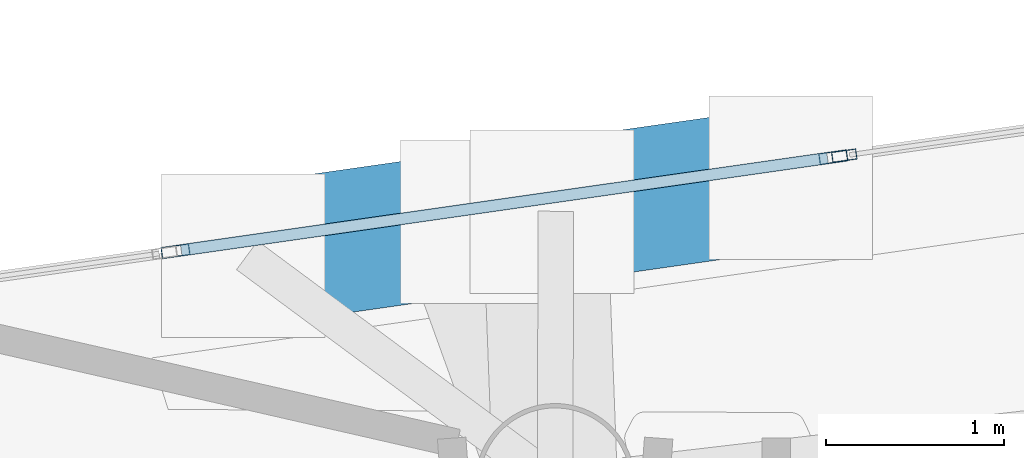
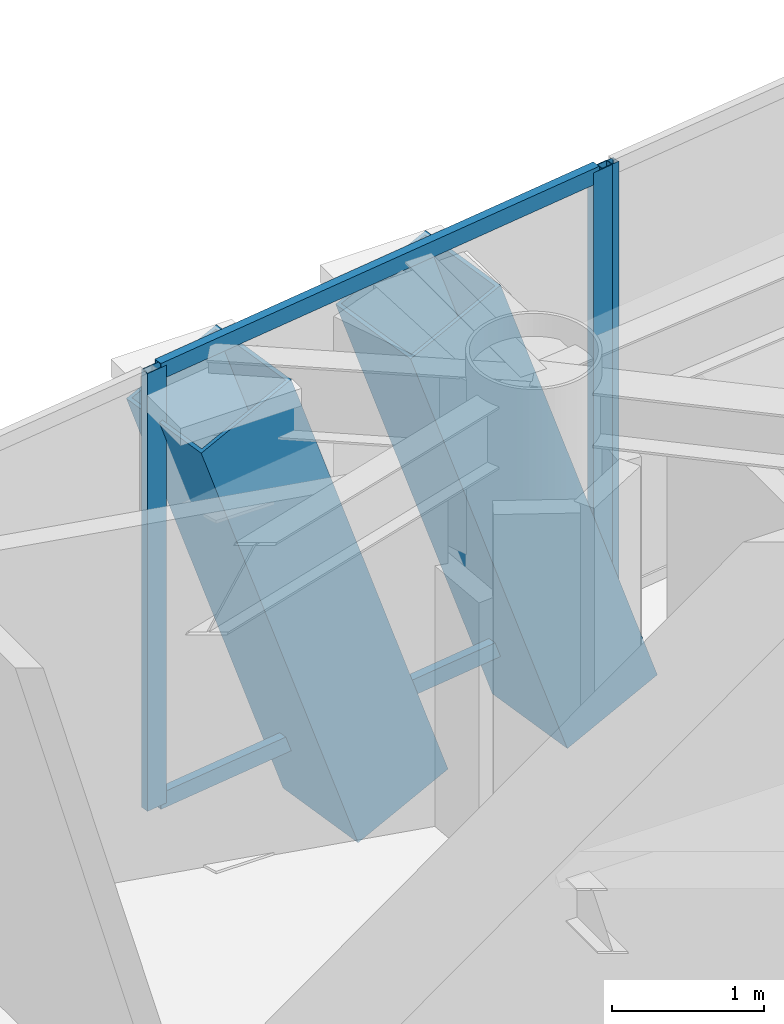
# One storey, part 16 of 25: 7 members, 2 elements without a shape of their own.
"""IFC4 building model written with IfcOpenShell, lengths in metres."""

from ifc_helpers import new_model, si_unit, direction, frame, origin, origin_2d, place, context, subcontext, project, spatial, hollow_rectangle, extrude, material, layer, layer_set, material_profile, profile_set, type_object, element, aggregate, save


model = new_model("IFC4")

# Units and contexts
model_context = context("Model", 3, precision=1e-05, world=origin(), true_north=direction((0.0, 1.0)))
body_context = subcontext(model_context, "Body", "Model", "MODEL_VIEW")
ifc_project = project(units=[si_unit("LENGTHUNIT", "METRE"), si_unit("AREAUNIT", "SQUARE_METRE"), si_unit("VOLUMEUNIT", "CUBIC_METRE"), si_unit("PLANEANGLEUNIT", "RADIAN"), si_unit("MASSUNIT", "GRAM", prefix="KILO")], contexts=[model_context])

# Site, building, storey
site_placement = place(None, origin())
site = spatial("IfcSite", under=ifc_project, at=site_placement, CompositionType="ELEMENT")
building_placement = place(site_placement, origin())
building = spatial("IfcBuilding", under=site, at=building_placement, Name="Qianvela Tower", CompositionType="ELEMENT")
storey_placement = place(building_placement, frame((0.0, 0.0, 295.39990234375)))
storey = spatial("IfcBuildingStorey", under=building, at=storey_placement, Name="L76", CompositionType="ELEMENT", Elevation=295.39990234375)

# Curtain wall, members
ifc_material_1 = material(Name="Anodised Architectural Aluminium and Insulated Spandrel Panel", Category="aluminium")
ifc_layer_1 = layer(ifc_material_1, 0.179931640625)
ifc_layer_set_1 = layer_set([ifc_layer_1], Name="Anodised Architectural Aluminium and Insulated Spandrel Panel")
curtain_wall_type_1 = type_object("IfcCurtainWallType", Name="CW-BRACEBAY", PredefinedType="USERDEFINED", material=ifc_layer_set_1)
curtain_wall_1_placement = place(storey_placement, origin())
curtain_wall_1 = element("IfcCurtainWall", 1, at=curtain_wall_1_placement, inside=storey, type_object=curtain_wall_type_1, Name="L76 CW-BRACEBAY Curtain Wall 02B", ObjectType="CURTAIN_WALL_SYSTEM", PredefinedType="USERDEFINED")
ifc_material_2 = material(Name="Anodised Architectural Aluminium 6063-T6", Category="aluminium")
ifc_material_profile_1 = material_profile(ifc_material_2, hollow_rectangle(XDim=0.06494140625, YDim=0.159912109375, WallThickness=0.0048828125, at=origin_2d()), Name="ALU-MULL-65x160")
ifc_profile_set_1 = profile_set([ifc_material_profile_1], Name="Anodised Architectural Aluminium 6063-T6")
member_type_1 = type_object("IfcMemberType", Name="CW-BRACEBAY-MULL", PredefinedType="MULLION", material=ifc_profile_set_1)
member_1_placement = place(storey_placement, frame((38.039306640625, 37.076904296875, 0.0), z_axis=(0.0, 0.0, 1.0), x_axis=(0.141369776601, -0.98995686081, 0.0)))
member_1 = element("IfcMember", 2, at=member_1_placement, type_object=member_type_1, Name="CW-9 mullion 1", PredefinedType="MULLION", context=body_context, shape_type="SweptSolid", body=[
    extrude(hollow_rectangle(XDim=0.06494140625, YDim=0.159912109375, WallThickness=0.0048828125, at=origin_2d()), origin(), (0.0, 0.0, 1.0), 3.52001953125),
])
member_2_placement = place(storey_placement, frame((34.341796875, 36.549072265625, 0.0), z_axis=(0.0, 0.0, 1.0), x_axis=(0.141369776601, -0.98995686081, 0.0)))
member_2 = element("IfcMember", 3, at=member_2_placement, type_object=member_type_1, Name="CW-9 mullion 2", PredefinedType="MULLION", context=body_context, shape_type="SweptSolid", body=[
    extrude(hollow_rectangle(XDim=0.06494140625, YDim=0.159912109375, WallThickness=0.0048828125, at=origin_2d()), origin(), (0.0, 0.0, 1.0), 3.52001953125),
])
ifc_material_3 = material(Name="Anodised Architectural Aluminium 6063-T6", Category="aluminium")
ifc_material_profile_2 = material_profile(ifc_material_3, hollow_rectangle(XDim=0.06494140625, YDim=0.1298828125, WallThickness=0.00439453125, at=origin_2d()), Name="ALU-TRAN-65x130")
ifc_profile_set_2 = profile_set([ifc_material_profile_2], Name="Anodised Architectural Aluminium 6063-T6")
member_type_2 = type_object("IfcMemberType", Name="CW-BRACEBAY-TRAN", PredefinedType="USERDEFINED", material=ifc_profile_set_2)
member_3_placement = place(storey_placement, frame((38.007080078125, 37.072509765625, 0.03271484375), z_axis=(-0.989957475076, -0.141365475071, 0.0), x_axis=(0.141365475071, -0.989957475076, 0.0)))
member_3 = element("IfcMember", 4, at=member_3_placement, type_object=member_type_2, Name="CW-9 transom 1.1", ObjectType="TRANSOM", PredefinedType="USERDEFINED", context=body_context, shape_type="SweptSolid", body=[
    extrude(hollow_rectangle(XDim=0.06494140625, YDim=0.1298828125, WallThickness=0.00439453125, at=origin_2d()), origin(), (0.0, 0.0, 1.0), 3.669921875),
])
member_4_placement = place(storey_placement, frame((38.007080078125, 37.072509765625, 3.487548828125), z_axis=(-0.989957475076, -0.141365475071, 0.0), x_axis=(0.141365475071, -0.989957475076, 0.0)))
member_4 = element("IfcMember", 5, at=member_4_placement, type_object=member_type_2, Name="CW-9 transom 1.2", ObjectType="TRANSOM", PredefinedType="USERDEFINED", context=body_context, shape_type="SweptSolid", body=[
    extrude(hollow_rectangle(XDim=0.06494140625, YDim=0.1298828125, WallThickness=0.00439453125, at=origin_2d()), origin(), (0.0, 0.0, 1.0), 3.669921875),
])
aggregate(curtain_wall_1, [member_1, member_2, member_3, member_4])

# Curtain wall, member
ifc_material_4 = material(Name="Anodised Architectural Aluminium and Low-E Glass", Category="aluminium")
ifc_layer_2 = layer(ifc_material_4, 0.14990234375)
ifc_layer_set_2 = layer_set([ifc_layer_2], Name="Anodised Architectural Aluminium and Low-E Glass")
curtain_wall_type_2 = type_object("IfcCurtainWallType", Name="CW-COLIV-Z78", PredefinedType="USERDEFINED", material=ifc_layer_set_2)
curtain_wall_2_placement = place(storey_placement, origin())
curtain_wall_2 = element("IfcCurtainWall", 6, at=curtain_wall_2_placement, inside=storey, type_object=curtain_wall_type_2, Name="L76 CW-COLIV-Z78 Curtain Wall 02A", ObjectType="CURTAIN_WALL_SYSTEM", PredefinedType="USERDEFINED")
ifc_material_5 = material(Name="Anodised Architectural Aluminium 6063-T6", Category="aluminium")
ifc_material_profile_3 = material_profile(ifc_material_5, hollow_rectangle(XDim=0.06005859375, YDim=0.139892578125, WallThickness=0.00439453125, at=origin_2d()), Name="ALU-MULL-60x140")
ifc_profile_set_3 = profile_set([ifc_material_profile_3], Name="Anodised Architectural Aluminium 6063-T6")
member_type_3 = type_object("IfcMemberType", Name="CW-COLIV-Z78-MULL", PredefinedType="MULLION", material=ifc_profile_set_3)
member_5_placement = place(storey_placement, frame((38.101318359375, 37.0859375, 0.0), z_axis=(0.0, 0.0, 1.0), x_axis=(0.141366007281, -0.989957399076, 0.0)))
member_5 = element("IfcMember", 7, at=member_5_placement, type_object=member_type_3, Name="CW-6 mullion 3", PredefinedType="MULLION", context=body_context, shape_type="SweptSolid", body=[
    extrude(hollow_rectangle(XDim=0.06005859375, YDim=0.139892578125, WallThickness=0.00439453125, at=origin_2d()), origin(), (0.0, 0.0, 1.0), 3.52001953125),
])
aggregate(curtain_wall_2, [member_5])

# Members
ifc_material_6 = material(Name="Steel Q420GJC", Category="steel")
ifc_material_profile_4 = material_profile(ifc_material_6, hollow_rectangle(XDim=0.800048828125, YDim=0.800048828125, WallThickness=0.028076171875, at=origin_2d()), Name="MBOX-800x800x28")
ifc_profile_set_4 = profile_set([ifc_material_profile_4], Name="Steel Q420GJC")
member_type_4 = type_object("IfcMemberType", Name="MBR-MBRACE-800", PredefinedType="BRACE", material=ifc_profile_set_4)
member_6_placement = place(storey_placement, frame((37.779052734375, 36.958984375, -0.48193359375), z_axis=(-0.330964447552, -0.047262867369, 0.942458888135), x_axis=(0.141369272625, -0.989956932779, 0.0)))
element("IfcMember", 8, at=member_6_placement, inside=storey, type_object=member_type_4, Name="L76 Tier 12 Exterior Mega-Brace F1A", PredefinedType="BRACE", context=body_context, shape_type="SweptSolid", body=[
    extrude(hollow_rectangle(XDim=0.800048828125, YDim=0.800048828125, WallThickness=0.028076171875, at=origin_2d()), origin(), (0.0, 0.0, 1.0), 3.92578125),
])
member_7_placement = place(storey_placement, frame((36.044189453125, 36.711181640625, -0.48193359375), z_axis=(-0.331019821912, -0.047261894543, 0.942439489212), x_axis=(0.141343245056, -0.989960649257, 0.0)))
element("IfcMember", 9, at=member_7_placement, inside=storey, type_object=member_type_4, Name="L76 Tier 12 Exterior Mega-Brace F1B", PredefinedType="BRACE", context=body_context, shape_type="SweptSolid", body=[
    extrude(hollow_rectangle(XDim=0.800048828125, YDim=0.800048828125, WallThickness=0.028076171875, at=origin_2d()), origin(), (0.0, 0.0, 1.0), 3.926025390625),
])

save(model, "model.ifc")
